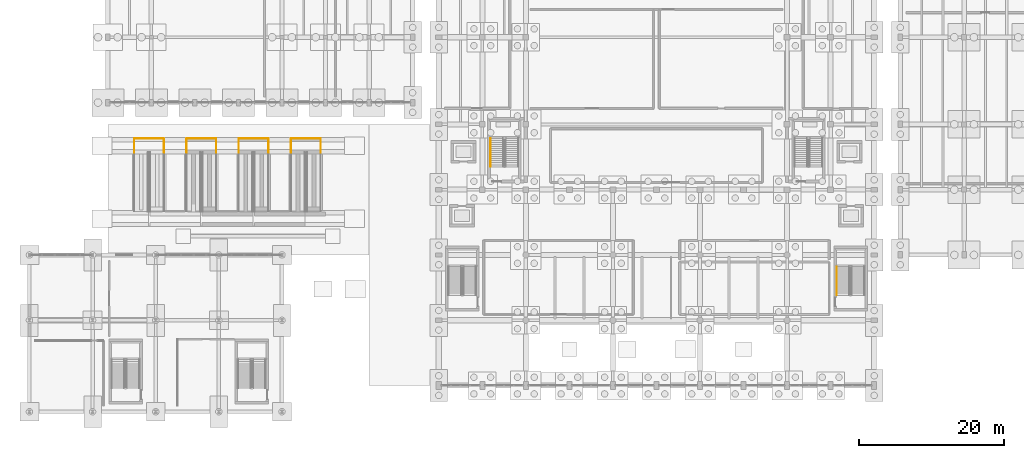
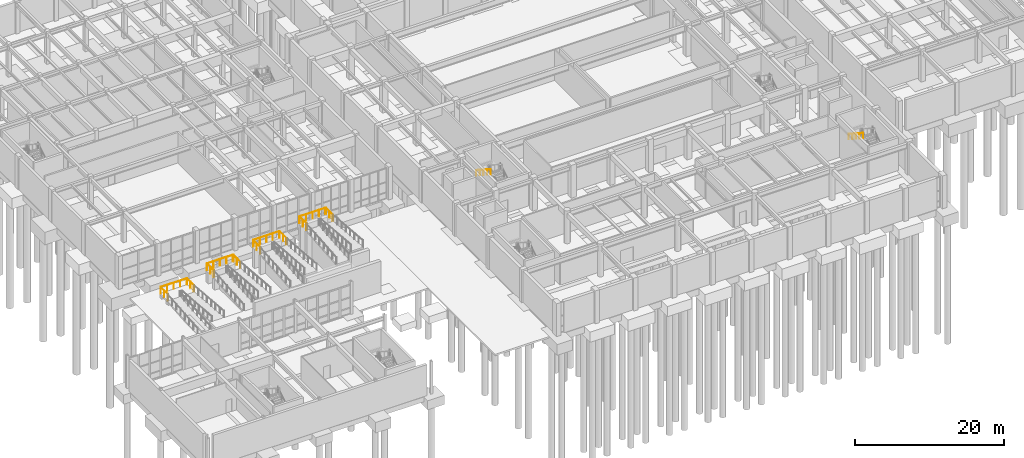
# One storey, part 61 of 69: 14 railings.
"""IFC4 building model written with IfcOpenShell, lengths in metres."""

from ifc_helpers import new_model, si_unit, direction, frame, origin, origin_2d, place, context, subcontext, project, spatial, circle, extrude, material, type_object, element, save


model = new_model("IFC4")

# Units and contexts
model_context = context("Model", 3, precision=1e-05, world=origin(), true_north=direction((0.0, 1.0)))
body_context = subcontext(model_context, "Body", "Model", "MODEL_VIEW")
ifc_project = project(units=[si_unit("LENGTHUNIT", "METRE"), si_unit("AREAUNIT", "SQUARE_METRE"), si_unit("VOLUMEUNIT", "CUBIC_METRE"), si_unit("PLANEANGLEUNIT", "RADIAN"), si_unit("MASSUNIT", "GRAM", prefix="KILO")], contexts=[model_context])

# Site, building, storey
site_placement = place(None, origin())
site = spatial("IfcSite", under=ifc_project, at=site_placement, CompositionType="ELEMENT")
building_placement = place(site_placement, origin())
building = spatial("IfcBuilding", under=site, at=building_placement, Name="Vaelkrest Opera House", CompositionType="ELEMENT")
storey_placement = place(building_placement, frame((0.0, 0.0, -5.39990234375)))
storey = spatial("IfcBuildingStorey", under=building, at=storey_placement, Name="B1", CompositionType="ELEMENT", Elevation=-5.39990234375)

# Railings
ifc_material = material(Name="Dark bronze anodized aluminium", Category="aluminium")
railing_type_1 = type_object("IfcRailingType", Name="GR01", PredefinedType="GUARDRAIL", material=ifc_material)
railing_1_placement = place(storey_placement, frame((-71.949951171875, -23.659912109375, 0.6748046875)))
element("IfcRailing", 1, at=railing_1_placement, inside=storey, type_object=railing_type_1, Name="Ramp guardrail RMP-FC-1 seg 2", PredefinedType="GUARDRAIL", context=body_context, shape_type="SweptSolid", body=[
    extrude(circle(Radius=0.02392578125, at=origin_2d()), frame((0.0, 0.0, 1.076171875), z_axis=(0.0, 1.0, 0.0), x_axis=(-1.0, 0.0, 0.0)), (0.0, 0.0, 1.0), 1.869873046875),
    extrude(circle(Radius=0.02099609375, at=origin_2d()), origin(), (0.0, 0.0, 1.0), 1.052001953125),
    extrude(circle(Radius=0.02099609375, at=origin_2d()), frame((0.0, 0.93505859375, 0.0)), (0.0, 0.0, 1.0), 1.052001953125),
    extrude(circle(Radius=0.02099609375, at=origin_2d()), frame((0.0, 1.869873046875, 0.0)), (0.0, 0.0, 1.0), 1.052001953125),
])
railing_2_placement = place(storey_placement, frame((-71.909912109375, -21.75, 0.6748046875)))
element("IfcRailing", 2, at=railing_2_placement, inside=storey, type_object=railing_type_1, Name="Ramp guardrail RMP-FC-1 seg 3", PredefinedType="GUARDRAIL", context=body_context, shape_type="SweptSolid", body=[
    extrude(circle(Radius=0.02392578125, at=origin_2d()), frame((0.0, 0.0, 1.076171875), z_axis=(1.0, 0.0, 0.0), x_axis=(0.0, 1.0, 0.0)), (0.0, 0.0, 1.0), 4.02001953125),
    extrude(circle(Radius=0.02099609375, at=origin_2d()), origin(), (0.0, 0.0, 1.0), 1.052001953125),
    extrude(circle(Radius=0.02099609375, at=origin_2d()), frame((1.0048828125, 0.0, 0.0)), (0.0, 0.0, 1.0), 1.052001953125),
    extrude(circle(Radius=0.02099609375, at=origin_2d()), frame((2.010009765625, 0.0, 0.0)), (0.0, 0.0, 1.0), 1.052001953125),
    extrude(circle(Radius=0.02099609375, at=origin_2d()), frame((3.01513671875, 0.0, 0.0)), (0.0, 0.0, 1.0), 1.052001953125),
    extrude(circle(Radius=0.02099609375, at=origin_2d()), frame((4.02001953125, 0.0, 0.0)), (0.0, 0.0, 1.0), 1.052001953125),
])
railing_3_placement = place(storey_placement, frame((-67.85009765625, -21.7900390625, 0.6748046875)))
element("IfcRailing", 3, at=railing_3_placement, inside=storey, type_object=railing_type_1, Name="Ramp guardrail RMP-FC-1 seg 4", PredefinedType="GUARDRAIL", context=body_context, shape_type="SweptSolid", body=[
    extrude(circle(Radius=0.02392578125, at=origin_2d()), frame((0.0, 0.0, 1.076171875), z_axis=(0.0, -1.0, 0.0), x_axis=(1.0, 0.0, 0.0)), (0.0, 0.0, 1.0), 1.869873046875),
    extrude(circle(Radius=0.02099609375, at=origin_2d()), origin(), (0.0, 0.0, 1.0), 1.052001953125),
    extrude(circle(Radius=0.02099609375, at=origin_2d()), frame((0.0, -0.93505859375, 0.0)), (0.0, 0.0, 1.0), 1.052001953125),
    extrude(circle(Radius=0.02099609375, at=origin_2d()), frame((0.0, -1.869873046875, 0.0)), (0.0, 0.0, 1.0), 1.052001953125),
])
railing_4_placement = place(storey_placement, frame((-64.75, -23.659912109375, 2.02490234375)))
element("IfcRailing", 4, at=railing_4_placement, inside=storey, type_object=railing_type_1, Name="Ramp guardrail RMP-FC-2 seg 2", PredefinedType="GUARDRAIL", context=body_context, shape_type="SweptSolid", body=[
    extrude(circle(Radius=0.02392578125, at=origin_2d()), frame((0.0, 0.0, 1.076171875), z_axis=(0.0, 1.0, 0.0), x_axis=(-1.0, 0.0, 0.0)), (0.0, 0.0, 1.0), 1.869873046875),
    extrude(circle(Radius=0.02099609375, at=origin_2d()), origin(), (0.0, 0.0, 1.0), 1.052001953125),
    extrude(circle(Radius=0.02099609375, at=origin_2d()), frame((0.0, 0.93505859375, 0.0)), (0.0, 0.0, 1.0), 1.052001953125),
    extrude(circle(Radius=0.02099609375, at=origin_2d()), frame((0.0, 1.869873046875, 0.0)), (0.0, 0.0, 1.0), 1.052001953125),
])
railing_5_placement = place(storey_placement, frame((-64.7099609375, -21.75, 2.02490234375)))
element("IfcRailing", 5, at=railing_5_placement, inside=storey, type_object=railing_type_1, Name="Ramp guardrail RMP-FC-2 seg 3", PredefinedType="GUARDRAIL", context=body_context, shape_type="SweptSolid", body=[
    extrude(circle(Radius=0.02392578125, at=origin_2d()), frame((0.0, 0.0, 1.076171875), z_axis=(1.0, 0.0, 0.0), x_axis=(0.0, 1.0, 0.0)), (0.0, 0.0, 1.0), 4.02001953125),
    extrude(circle(Radius=0.02099609375, at=origin_2d()), origin(), (0.0, 0.0, 1.0), 1.052001953125),
    extrude(circle(Radius=0.02099609375, at=origin_2d()), frame((1.0048828125, 0.0, 0.0)), (0.0, 0.0, 1.0), 1.052001953125),
    extrude(circle(Radius=0.02099609375, at=origin_2d()), frame((2.010009765625, 0.0, 0.0)), (0.0, 0.0, 1.0), 1.052001953125),
    extrude(circle(Radius=0.02099609375, at=origin_2d()), frame((3.01513671875, 0.0, 0.0)), (0.0, 0.0, 1.0), 1.052001953125),
    extrude(circle(Radius=0.02099609375, at=origin_2d()), frame((4.02001953125, 0.0, 0.0)), (0.0, 0.0, 1.0), 1.052001953125),
])
railing_6_placement = place(storey_placement, frame((-60.64990234375, -21.7900390625, 2.02490234375)))
element("IfcRailing", 6, at=railing_6_placement, inside=storey, type_object=railing_type_1, Name="Ramp guardrail RMP-FC-2 seg 4", PredefinedType="GUARDRAIL", context=body_context, shape_type="SweptSolid", body=[
    extrude(circle(Radius=0.02392578125, at=origin_2d()), frame((0.0, 0.0, 1.076171875), z_axis=(0.0, -1.0, 0.0), x_axis=(1.0, 0.0, 0.0)), (0.0, 0.0, 1.0), 1.869873046875),
    extrude(circle(Radius=0.02099609375, at=origin_2d()), origin(), (0.0, 0.0, 1.0), 1.052001953125),
    extrude(circle(Radius=0.02099609375, at=origin_2d()), frame((0.0, -0.93505859375, 0.0)), (0.0, 0.0, 1.0), 1.052001953125),
    extrude(circle(Radius=0.02099609375, at=origin_2d()), frame((0.0, -1.869873046875, 0.0)), (0.0, 0.0, 1.0), 1.052001953125),
])
railing_7_placement = place(storey_placement, frame((-57.550048828125, -23.659912109375, 3.375)))
element("IfcRailing", 7, at=railing_7_placement, inside=storey, type_object=railing_type_1, Name="Ramp guardrail RMP-FC-3 seg 2", PredefinedType="GUARDRAIL", context=body_context, shape_type="SweptSolid", body=[
    extrude(circle(Radius=0.02392578125, at=origin_2d()), frame((0.0, 0.0, 1.076171875), z_axis=(0.0, 1.0, 0.0), x_axis=(-1.0, 0.0, 0.0)), (0.0, 0.0, 1.0), 1.869873046875),
    extrude(circle(Radius=0.02099609375, at=origin_2d()), origin(), (0.0, 0.0, 1.0), 1.052001953125),
    extrude(circle(Radius=0.02099609375, at=origin_2d()), frame((0.0, 0.93505859375, 0.0)), (0.0, 0.0, 1.0), 1.052001953125),
    extrude(circle(Radius=0.02099609375, at=origin_2d()), frame((0.0, 1.869873046875, 0.0)), (0.0, 0.0, 1.0), 1.052001953125),
])
railing_8_placement = place(storey_placement, frame((-57.510009765625, -21.75, 3.375)))
element("IfcRailing", 8, at=railing_8_placement, inside=storey, type_object=railing_type_1, Name="Ramp guardrail RMP-FC-3 seg 3", PredefinedType="GUARDRAIL", context=body_context, shape_type="SweptSolid", body=[
    extrude(circle(Radius=0.02392578125, at=origin_2d()), frame((0.0, 0.0, 1.076171875), z_axis=(1.0, 0.0, 0.0), x_axis=(0.0, 1.0, 0.0)), (0.0, 0.0, 1.0), 4.02001953125),
    extrude(circle(Radius=0.02099609375, at=origin_2d()), origin(), (0.0, 0.0, 1.0), 1.052001953125),
    extrude(circle(Radius=0.02099609375, at=origin_2d()), frame((1.0048828125, 0.0, 0.0)), (0.0, 0.0, 1.0), 1.052001953125),
    extrude(circle(Radius=0.02099609375, at=origin_2d()), frame((2.010009765625, 0.0, 0.0)), (0.0, 0.0, 1.0), 1.052001953125),
    extrude(circle(Radius=0.02099609375, at=origin_2d()), frame((3.01513671875, 0.0, 0.0)), (0.0, 0.0, 1.0), 1.052001953125),
    extrude(circle(Radius=0.02099609375, at=origin_2d()), frame((4.02001953125, 0.0, 0.0)), (0.0, 0.0, 1.0), 1.052001953125),
])
railing_9_placement = place(storey_placement, frame((-53.449951171875, -21.7900390625, 3.375)))
element("IfcRailing", 9, at=railing_9_placement, inside=storey, type_object=railing_type_1, Name="Ramp guardrail RMP-FC-3 seg 4", PredefinedType="GUARDRAIL", context=body_context, shape_type="SweptSolid", body=[
    extrude(circle(Radius=0.02392578125, at=origin_2d()), frame((0.0, 0.0, 1.076171875), z_axis=(0.0, -1.0, 0.0), x_axis=(1.0, 0.0, 0.0)), (0.0, 0.0, 1.0), 1.869873046875),
    extrude(circle(Radius=0.02099609375, at=origin_2d()), origin(), (0.0, 0.0, 1.0), 1.052001953125),
    extrude(circle(Radius=0.02099609375, at=origin_2d()), frame((0.0, -0.93505859375, 0.0)), (0.0, 0.0, 1.0), 1.052001953125),
    extrude(circle(Radius=0.02099609375, at=origin_2d()), frame((0.0, -1.869873046875, 0.0)), (0.0, 0.0, 1.0), 1.052001953125),
])
railing_10_placement = place(storey_placement, frame((-50.35009765625, -23.659912109375, 4.724853515625)))
element("IfcRailing", 10, at=railing_10_placement, inside=storey, type_object=railing_type_1, Name="Ramp guardrail RMP-FC-4 seg 2", PredefinedType="GUARDRAIL", context=body_context, shape_type="SweptSolid", body=[
    extrude(circle(Radius=0.02392578125, at=origin_2d()), frame((0.0, 0.0, 1.076171875), z_axis=(0.0, 1.0, 0.0), x_axis=(-1.0, 0.0, 0.0)), (0.0, 0.0, 1.0), 1.869873046875),
    extrude(circle(Radius=0.02099609375, at=origin_2d()), origin(), (0.0, 0.0, 1.0), 1.052001953125),
    extrude(circle(Radius=0.02099609375, at=origin_2d()), frame((0.0, 0.93505859375, 0.0)), (0.0, 0.0, 1.0), 1.052001953125),
    extrude(circle(Radius=0.02099609375, at=origin_2d()), frame((0.0, 1.869873046875, 0.0)), (0.0, 0.0, 1.0), 1.052001953125),
])
railing_11_placement = place(storey_placement, frame((-50.31005859375, -21.75, 4.724853515625)))
element("IfcRailing", 11, at=railing_11_placement, inside=storey, type_object=railing_type_1, Name="Ramp guardrail RMP-FC-4 seg 3", PredefinedType="GUARDRAIL", context=body_context, shape_type="SweptSolid", body=[
    extrude(circle(Radius=0.02392578125, at=origin_2d()), frame((0.0, 0.0, 1.076171875), z_axis=(1.0, 0.0, 0.0), x_axis=(0.0, 1.0, 0.0)), (0.0, 0.0, 1.0), 4.02001953125),
    extrude(circle(Radius=0.02099609375, at=origin_2d()), origin(), (0.0, 0.0, 1.0), 1.052001953125),
    extrude(circle(Radius=0.02099609375, at=origin_2d()), frame((1.0048828125, 0.0, 0.0)), (0.0, 0.0, 1.0), 1.052001953125),
    extrude(circle(Radius=0.02099609375, at=origin_2d()), frame((2.010009765625, 0.0, 0.0)), (0.0, 0.0, 1.0), 1.052001953125),
    extrude(circle(Radius=0.02099609375, at=origin_2d()), frame((3.01513671875, 0.0, 0.0)), (0.0, 0.0, 1.0), 1.052001953125),
    extrude(circle(Radius=0.02099609375, at=origin_2d()), frame((4.02001953125, 0.0, 0.0)), (0.0, 0.0, 1.0), 1.052001953125),
])
railing_12_placement = place(storey_placement, frame((-46.25, -21.7900390625, 4.724853515625)))
element("IfcRailing", 12, at=railing_12_placement, inside=storey, type_object=railing_type_1, Name="Ramp guardrail RMP-FC-4 seg 4", PredefinedType="GUARDRAIL", context=body_context, shape_type="SweptSolid", body=[
    extrude(circle(Radius=0.02392578125, at=origin_2d()), frame((0.0, 0.0, 1.076171875), z_axis=(0.0, -1.0, 0.0), x_axis=(1.0, 0.0, 0.0)), (0.0, 0.0, 1.0), 1.869873046875),
    extrude(circle(Radius=0.02099609375, at=origin_2d()), origin(), (0.0, 0.0, 1.0), 1.052001953125),
    extrude(circle(Radius=0.02099609375, at=origin_2d()), frame((0.0, -0.93505859375, 0.0)), (0.0, 0.0, 1.0), 1.052001953125),
    extrude(circle(Radius=0.02099609375, at=origin_2d()), frame((0.0, -1.869873046875, 0.0)), (0.0, 0.0, 1.0), 1.052001953125),
])
railing_type_2 = type_object("IfcRailingType", Name="HR02", PredefinedType="HANDRAIL", material=ifc_material)
railing_13_placement = place(storey_placement, frame((-22.85009765625, -21.72998046875, 2.8798828125)))
element("IfcRailing", 13, at=railing_13_placement, inside=storey, type_object=railing_type_2, Name="B1 ST01 stair handrail 2", PredefinedType="HANDRAIL", context=body_context, shape_type="SweptSolid", body=[
    extrude(circle(Radius=0.02392578125, at=origin_2d()), frame((0.0, 0.0, 0.8759765625), z_axis=(0.0, -0.841171666519, 0.540768182723), x_axis=(1.0, 0.0, 0.0)), (0.0, 0.0, 1.0), 4.66015625),
    extrude(circle(Radius=0.02099609375, at=origin_2d()), origin(), (0.0, 0.0, 1.0), 0.851806640625),
    extrude(circle(Radius=0.02099609375, at=origin_2d()), frame((0.0, -0.97998046875, 0.6298828125)), (0.0, 0.0, 1.0), 0.851806640625),
    extrude(circle(Radius=0.02099609375, at=origin_2d()), frame((0.0, -1.9599609375, 1.260009765625)), (0.0, 0.0, 1.0), 0.851806640625),
    extrude(circle(Radius=0.02099609375, at=origin_2d()), frame((0.0, -2.93994140625, 1.89013671875)), (0.0, 0.0, 1.0), 0.851806640625),
    extrude(circle(Radius=0.02099609375, at=origin_2d()), frame((0.0, -3.919921875, 2.52001953125)), (0.0, 0.0, 1.0), 0.851806640625),
])
railing_14_placement = place(storey_placement, frame((24.85009765625, -39.429931640625, 2.8798828125)))
element("IfcRailing", 14, at=railing_14_placement, inside=storey, type_object=railing_type_2, Name="B1 ST04 stair handrail 2", PredefinedType="HANDRAIL", context=body_context, shape_type="SweptSolid", body=[
    extrude(circle(Radius=0.02392578125, at=origin_2d()), frame((0.0, 0.0, 0.8759765625), z_axis=(0.0, -0.841186985886, 0.540744352514), x_axis=(1.0, 0.0, 0.0)), (0.0, 0.0, 1.0), 4.660400390625),
    extrude(circle(Radius=0.02099609375, at=origin_2d()), origin(), (0.0, 0.0, 1.0), 0.851806640625),
    extrude(circle(Radius=0.02099609375, at=origin_2d()), frame((0.0, -0.97998046875, 0.6298828125)), (0.0, 0.0, 1.0), 0.851806640625),
    extrude(circle(Radius=0.02099609375, at=origin_2d()), frame((0.0, -1.9599609375, 1.260009765625)), (0.0, 0.0, 1.0), 0.851806640625),
    extrude(circle(Radius=0.02099609375, at=origin_2d()), frame((0.0, -2.940185546875, 1.89013671875)), (0.0, 0.0, 1.0), 0.851806640625),
    extrude(circle(Radius=0.02099609375, at=origin_2d()), frame((0.0, -3.920166015625, 2.52001953125)), (0.0, 0.0, 1.0), 0.851806640625),
])

save(model, "model.ifc")
